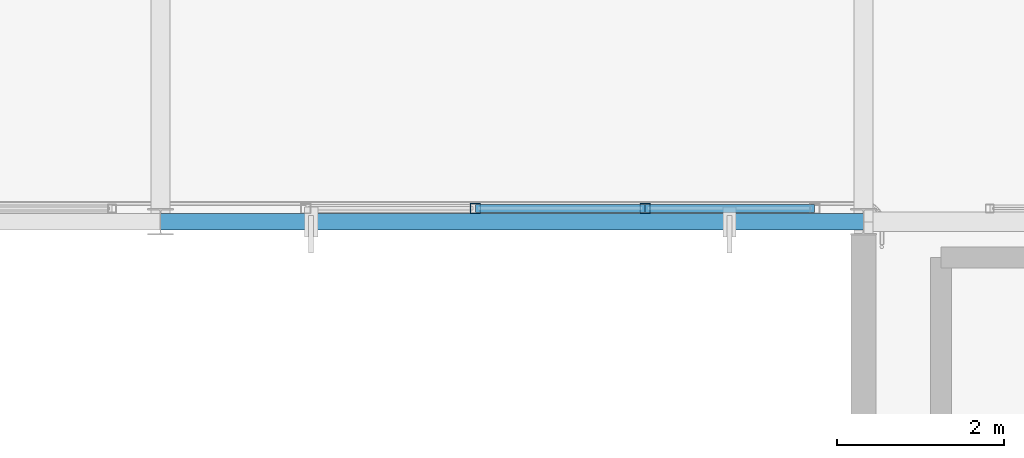
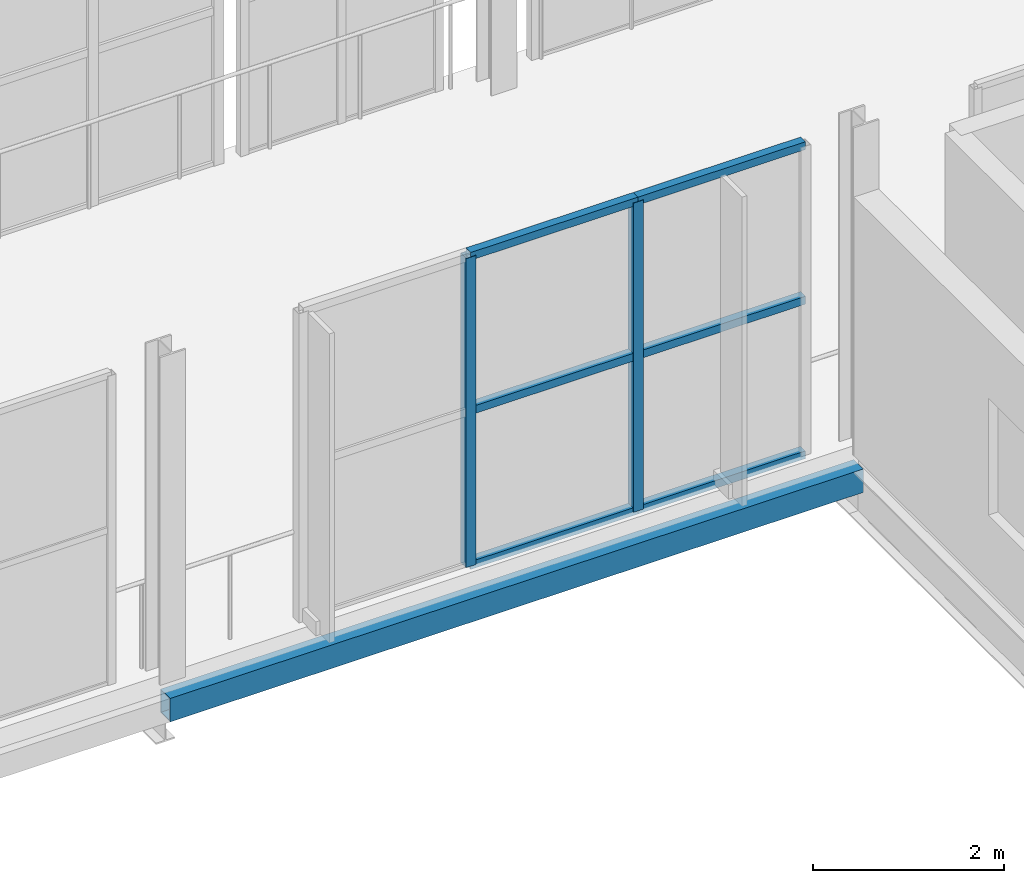
# One storey, part 17 of 151: 8 members, 1 beam, 1 element without a shape of its own.
"""IFC4 building model written with IfcOpenShell, lengths in metres."""

from ifc_helpers import new_model, si_unit, direction, frame, origin, origin_2d, place, context, subcontext, project, spatial, hollow_rectangle, extrude, material, material_profile, profile_set, type_object, element, aggregate, save


model = new_model("IFC4")

# Units and contexts
model_context = context("Model", 3, precision=1e-05, world=origin(), true_north=direction((0.0, 1.0)))
body_context = subcontext(model_context, "Body", "Model", "MODEL_VIEW")
ifc_project = project(units=[si_unit("LENGTHUNIT", "METRE"), si_unit("AREAUNIT", "SQUARE_METRE"), si_unit("VOLUMEUNIT", "CUBIC_METRE"), si_unit("PLANEANGLEUNIT", "RADIAN"), si_unit("MASSUNIT", "GRAM", prefix="KILO")], contexts=[model_context])

# Site, building, storey
site_placement = place(None, origin())
site = spatial("IfcSite", under=ifc_project, at=site_placement, CompositionType="ELEMENT")
building_placement = place(site_placement, origin())
building = spatial("IfcBuilding", under=site, at=building_placement, Name="Zuvorla Pavilion Media Centre", CompositionType="ELEMENT")
storey_placement = place(building_placement, frame((0.0, 0.0, 13.800048828125)))
storey = spatial("IfcBuildingStorey", under=building, at=storey_placement, Name="L03", CompositionType="ELEMENT", Elevation=13.800048828125)

# Beam
ifc_material_1 = material(Name="Steel S355", Category="steel")
ifc_material_profile_1 = material_profile(ifc_material_1, hollow_rectangle(XDim=0.199951171875, YDim=0.300048828125, WallThickness=0.012451171875, at=origin_2d()), Name="RHS 300x200x12.5")
ifc_profile_set_1 = profile_set([ifc_material_profile_1], Name="Steel S355")
beam_type = type_object("IfcBeamType", Name="BM-SP-RHS300", PredefinedType="SPANDREL", material=ifc_profile_set_1)
beam_placement = place(storey_placement, frame((33.199951171875, 44.0, -0.407958984375), z_axis=(1.0, 0.0, 0.0), x_axis=(0.0, 1.0, 0.0)))
element("IfcBeam", 1, at=beam_placement, inside=storey, type_object=beam_type, Name="L03 spandrel SP01 1076", PredefinedType="SPANDREL", context=body_context, shape_type="SweptSolid", body=[
    extrude(hollow_rectangle(XDim=0.199951171875, YDim=0.300048828125, WallThickness=0.012451171875, at=origin_2d()), origin(), (0.0, 0.0, 1.0), 8.400146484375),
])

# Curtain wall, members
ifc_material_2 = material(Name="Unitised anodised aluminium and solar glass curtain wall", Category="aluminium")
curtain_wall_type = type_object("IfcCurtainWallType", Name="CW-SYS-65", PredefinedType="USERDEFINED", material=ifc_material_2)
curtain_wall_placement = place(storey_placement, origin())
curtain_wall = element("IfcCurtainWall", 2, at=curtain_wall_placement, inside=storey, type_object=curtain_wall_type, Name="L03 curtain wall CW65 133", ObjectType="CURTAIN WALL", PredefinedType="USERDEFINED")
ifc_material_3 = material(Name="Anodised aluminium 6063-T6", Category="aluminium")
ifc_material_profile_2 = material_profile(ifc_material_3, hollow_rectangle(XDim=0.1201171875, YDim=0.1201171875, WallThickness=0.0048828125, at=origin_2d()), Name="ALU MULL 120x120")
ifc_profile_set_2 = profile_set([ifc_material_profile_2], Name="Anodised aluminium 6063-T6")
member_type_1 = type_object("IfcMemberType", Name="CW-MULL-120", PredefinedType="MULLION", material=ifc_profile_set_2)
member_1_placement = place(storey_placement, frame((36.962646484375, 44.159912109375, 0.0), z_axis=(0.0, 0.0, 1.0), x_axis=(1.0, 0.0, 0.0)))
member_1 = element("IfcMember", 3, at=member_1_placement, type_object=member_type_1, Name="CW65 mullion 2", PredefinedType="MULLION", context=body_context, shape_type="SweptSolid", body=[
    extrude(hollow_rectangle(XDim=0.1201171875, YDim=0.1201171875, WallThickness=0.0048828125, at=origin_2d()), origin(), (0.0, 0.0, 1.0), 3.9599609375),
])
member_2_placement = place(storey_placement, frame((38.990478515625, 44.159912109375, 0.0), z_axis=(0.0, 0.0, 1.0), x_axis=(1.0, 0.0, 0.0)))
member_2 = element("IfcMember", 4, at=member_2_placement, type_object=member_type_1, Name="CW65 mullion 3", PredefinedType="MULLION", context=body_context, shape_type="SweptSolid", body=[
    extrude(hollow_rectangle(XDim=0.1201171875, YDim=0.1201171875, WallThickness=0.0048828125, at=origin_2d()), origin(), (0.0, 0.0, 1.0), 3.9599609375),
])
ifc_material_profile_3 = material_profile(ifc_material_3, hollow_rectangle(XDim=0.10009765625, YDim=0.10009765625, WallThickness=0.00439453125, at=origin_2d()), Name="ALU TRAN 100x100")
ifc_profile_set_3 = profile_set([ifc_material_profile_3], Name="Anodised aluminium 6063-T6")
member_type_2 = type_object("IfcMemberType", Name="CW-TRAN-100", PredefinedType="USERDEFINED", material=ifc_profile_set_3)
member_3_placement = place(storey_placement, frame((36.962646484375, 44.159912109375, 0.0), z_axis=(1.0, 0.0, 0.0), x_axis=(0.0, 1.0, 0.0)))
member_3 = element("IfcMember", 5, at=member_3_placement, type_object=member_type_2, Name="CW65 transom 2.1", ObjectType="TRANSOM", PredefinedType="USERDEFINED", context=body_context, shape_type="SweptSolid", body=[
    extrude(hollow_rectangle(XDim=0.10009765625, YDim=0.10009765625, WallThickness=0.00439453125, at=origin_2d()), origin(), (0.0, 0.0, 1.0), 2.02783203125),
])
member_4_placement = place(storey_placement, frame((36.962646484375, 44.159912109375, 1.97998046875), z_axis=(1.0, 0.0, 0.0), x_axis=(0.0, 1.0, 0.0)))
member_4 = element("IfcMember", 6, at=member_4_placement, type_object=member_type_2, Name="CW65 transom 2.2", ObjectType="TRANSOM", PredefinedType="USERDEFINED", context=body_context, shape_type="SweptSolid", body=[
    extrude(hollow_rectangle(XDim=0.10009765625, YDim=0.10009765625, WallThickness=0.00439453125, at=origin_2d()), origin(), (0.0, 0.0, 1.0), 2.02783203125),
])
member_5_placement = place(storey_placement, frame((36.962646484375, 44.159912109375, 3.9599609375), z_axis=(1.0, 0.0, 0.0), x_axis=(0.0, 1.0, 0.0)))
member_5 = element("IfcMember", 7, at=member_5_placement, type_object=member_type_2, Name="CW65 transom 2.3", ObjectType="TRANSOM", PredefinedType="USERDEFINED", context=body_context, shape_type="SweptSolid", body=[
    extrude(hollow_rectangle(XDim=0.10009765625, YDim=0.10009765625, WallThickness=0.00439453125, at=origin_2d()), origin(), (0.0, 0.0, 1.0), 2.02783203125),
])
member_6_placement = place(storey_placement, frame((38.990478515625, 44.159912109375, 0.0), z_axis=(1.0, 0.0, 0.0), x_axis=(0.0, 1.0, 0.0)))
member_6 = element("IfcMember", 8, at=member_6_placement, type_object=member_type_2, Name="CW65 transom 3.1", ObjectType="TRANSOM", PredefinedType="USERDEFINED", context=body_context, shape_type="SweptSolid", body=[
    extrude(hollow_rectangle(XDim=0.10009765625, YDim=0.10009765625, WallThickness=0.00439453125, at=origin_2d()), origin(), (0.0, 0.0, 1.0), 2.027587890625),
])
member_7_placement = place(storey_placement, frame((38.990478515625, 44.159912109375, 1.97998046875), z_axis=(1.0, 0.0, 0.0), x_axis=(0.0, 1.0, 0.0)))
member_7 = element("IfcMember", 9, at=member_7_placement, type_object=member_type_2, Name="CW65 transom 3.2", ObjectType="TRANSOM", PredefinedType="USERDEFINED", context=body_context, shape_type="SweptSolid", body=[
    extrude(hollow_rectangle(XDim=0.10009765625, YDim=0.10009765625, WallThickness=0.00439453125, at=origin_2d()), origin(), (0.0, 0.0, 1.0), 2.027587890625),
])
member_8_placement = place(storey_placement, frame((38.990478515625, 44.159912109375, 3.9599609375), z_axis=(1.0, 0.0, 0.0), x_axis=(0.0, 1.0, 0.0)))
member_8 = element("IfcMember", 10, at=member_8_placement, type_object=member_type_2, Name="CW65 transom 3.3", ObjectType="TRANSOM", PredefinedType="USERDEFINED", context=body_context, shape_type="SweptSolid", body=[
    extrude(hollow_rectangle(XDim=0.10009765625, YDim=0.10009765625, WallThickness=0.00439453125, at=origin_2d()), origin(), (0.0, 0.0, 1.0), 2.027587890625),
])
aggregate(curtain_wall, [member_1, member_2, member_3, member_4, member_5, member_6, member_7, member_8])

save(model, "model.ifc")
